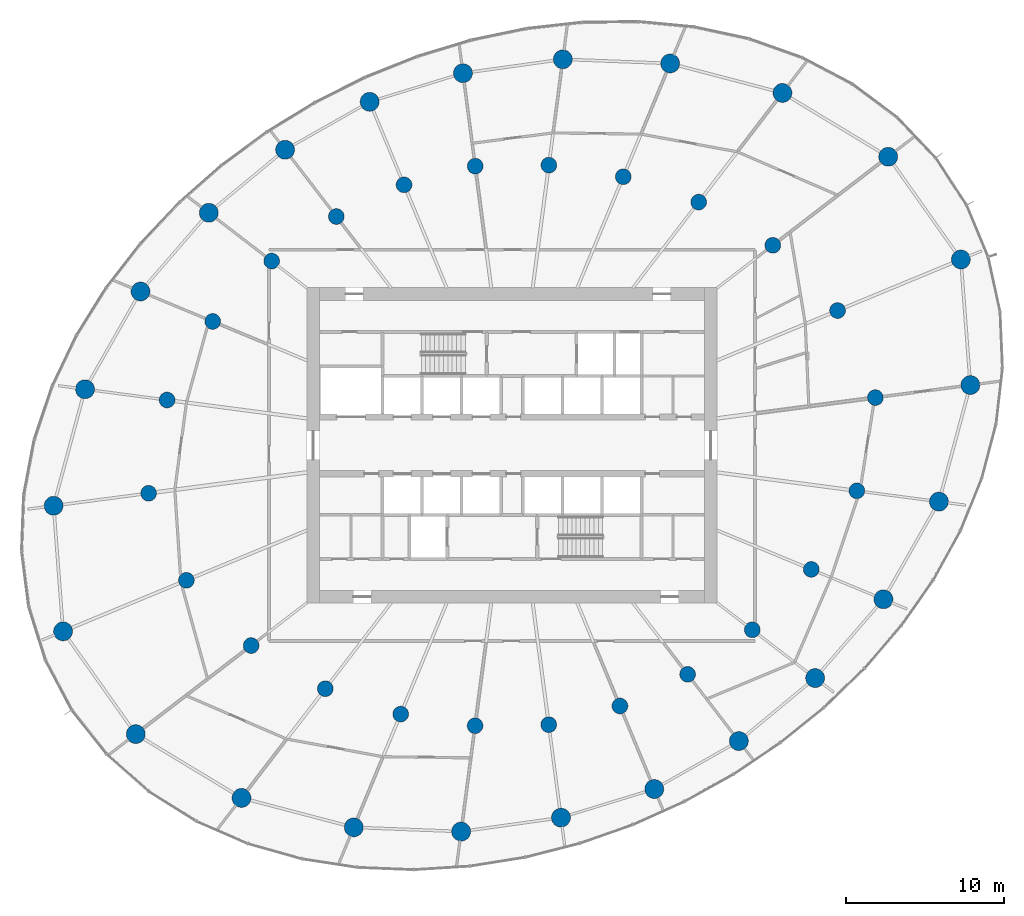
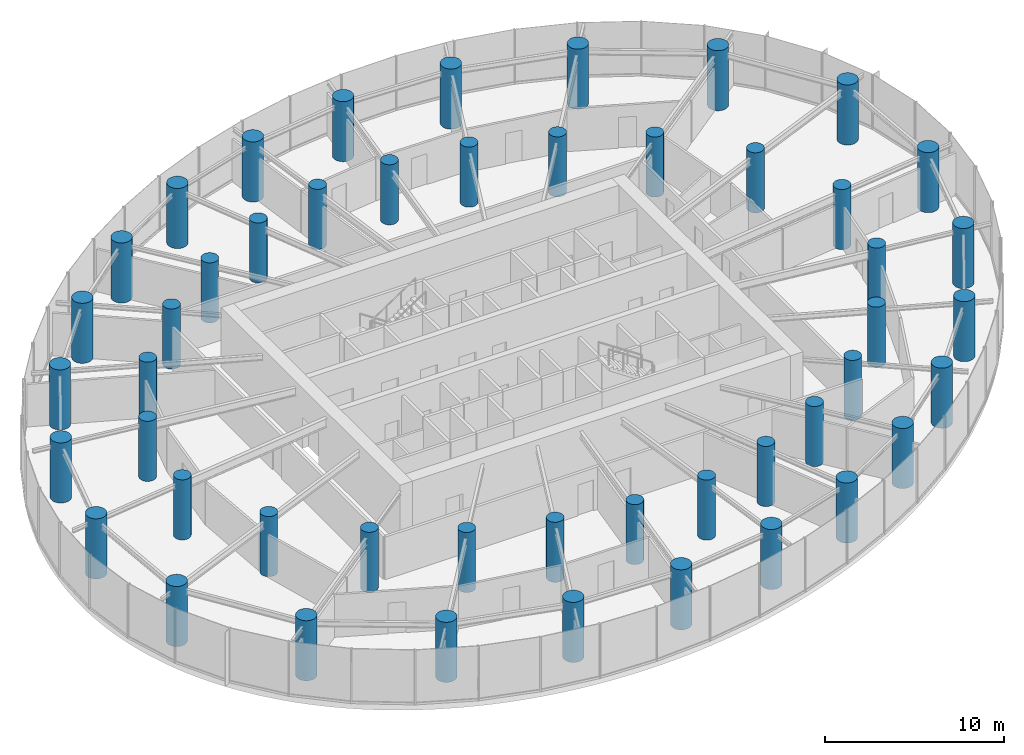
# One storey, part 1 of 17: 48 columns.
"""IFC4 building model written with IfcOpenShell, lengths in metres."""

from ifc_helpers import new_model, si_unit, direction, frame, origin, origin_2d, place, context, subcontext, project, spatial, circle, extrude, source, transform, mapped, material, material_profile, profile_set, type_object, element, save


model = new_model("IFC4")

# Units and contexts
model_context = context("Model", 3, precision=1e-05, world=origin(), true_north=direction((0.0, 1.0)))
body_context = subcontext(model_context, "Body", "Model", "MODEL_VIEW")
ifc_project = project(units=[si_unit("LENGTHUNIT", "METRE"), si_unit("AREAUNIT", "SQUARE_METRE"), si_unit("VOLUMEUNIT", "CUBIC_METRE"), si_unit("PLANEANGLEUNIT", "RADIAN"), si_unit("MASSUNIT", "GRAM", prefix="KILO")], contexts=[model_context])

# Site, building, storey
site_placement = place(None, origin())
site = spatial("IfcSite", under=ifc_project, at=site_placement, CompositionType="ELEMENT")
building_placement = place(site_placement, origin())
building = spatial("IfcBuilding", under=site, at=building_placement, Name="Spindrift Exchange Tower", CompositionType="ELEMENT")
storey_placement = place(building_placement, frame((0.0, 0.0, 112.60009765625)))
storey = spatial("IfcBuildingStorey", under=building, at=storey_placement, Name="L26", CompositionType="ELEMENT", Elevation=112.60009765625)

# Columns
ifc_material = material(Name="Concrete 65 MPa", Category="concrete")
ifc_material_profile_1 = material_profile(ifc_material, circle(Radius=0.5, at=origin_2d()), Name="RC D1000")
ifc_profile_set_1 = profile_set([ifc_material_profile_1], Name="Concrete 65 MPa")
column_type_1 = type_object("IfcColumnType", Name="RC Inner Column D1000 Concrete 65 MPa", PredefinedType="COLUMN", material=ifc_profile_set_1)
shared_shape_1 = source(origin(), body_context, "Body", "SweptSolid", [
    extrude(circle(Radius=0.5, at=origin_2d()), origin(), (0.0, 0.0, 1.0), 4.099853515625),
])
for number, where, z_axis, x_axis, name in (
    (1, (75.033935546875, 51.032470703125, 0.0), (0.0, 0.0, 1.0), (1.0, 0.0, 0.0), "Inner column Q2-01 L26"),
    (2, (72.639404296875, 56.549072265625, 0.0), (0.0, 0.0, 1.0), (1.0, 0.0, 0.0), "Inner column Q2-02 L26"),
    (3, (68.534912109375, 60.6875, 0.0), (0.0, 0.0, 1.0), (1.0, 0.0, 0.0), "Inner column Q2-03 L26"),
    (4, (63.835205078125, 63.423828125, 0.0), (0.0, 0.0, 1.0), (1.0, 0.0, 0.0), "Inner column Q2-04 L26"),
    (5, (59.0546875, 65.03125, 0.0), (0.0, 0.0, 1.0), (1.0, 0.0, 0.0), "Inner column Q2-05 L26"),
    (6, (54.339111328125, 65.767333984375, 0.0), (0.0, 0.0, 1.0), (1.0, 0.0, 0.0), "Inner column Q2-06 L26"),
    (7, (49.669189453125, 65.703125, 0.0), (0.0, 0.0, 1.0), (1.0, 0.0, 0.0), "Inner column Q2-07 L26"),
    (8, (45.158203125, 64.517578125, 0.0), (0.0, 0.0, 1.0), (1.0, 0.0, 0.0), "Inner column Q2-08 L26"),
    (9, (40.8662109375, 62.510009765625, 0.0), (0.0, 0.0, 1.0), (1.0, 0.0, 0.0), "Inner column Q2-09 L26"),
    (10, (36.767578125, 59.688232421875, 0.0), (0.0, 0.0, 1.0), (1.0, 0.0, 0.0), "Inner column Q2-10 L26"),
    (11, (33.027587890625, 55.858642578125, 0.0), (0.0, 0.0, 1.0), (1.0, 0.0, 0.0), "Inner column Q2-11 L26"),
    (12, (30.13671875, 50.87841796875, 0.0), (0.0, 0.0, 1.0), (1.0, 0.0, 0.0), "Inner column Q2-12 L26"),
    (13, (28.966064453125, 44.967529296875, 0.0), (0.0, 0.0, 1.0), (1.0, 0.0, 0.0), "Inner column Q2-13 L26"),
    (14, (31.360595703125, 39.450927734375, 0.0), (0.0, 0.0, 1.0), (1.0, 0.0, 0.0), "Inner column Q2-14 L26"),
    (15, (35.465087890625, 35.3125, 0.0), (0.0, 0.0, 1.0), (1.0, 0.0, 0.0), "Inner column Q2-15 L26"),
    (16, (40.164794921875, 32.576171875, 0.0), (0.0, 0.0, 1.0), (1.0, 0.0, 0.0), "Inner column Q2-16 L26"),
    (17, (44.9453125, 30.96875, 0.0), (0.0, 0.0, 1.0), (1.0, 0.0, 0.0), "Inner column Q2-17 L26"),
    (18, (49.660888671875, 30.232666015625, 0.0), (0.0, 0.0, 1.0), (1.0, 0.0, 0.0), "Inner column Q2-18 L26"),
    (19, (54.330810546875, 30.296875, 0.0), (0.0, 0.0, 1.0), (1.0, 0.0, 0.0), "Inner column Q2-19 L26"),
    (20, (58.841796875, 31.482421875, 0.0), (0.0, 0.0, 1.0), (1.0, 0.0, 0.0), "Inner column Q2-20 L26"),
    (21, (63.1337890625, 33.489990234375, 0.0), (0.0, 0.0, 1.0), (1.0, 0.0, 0.0), "Inner column Q2-21 L26"),
    (22, (67.232421875, 36.311767578125, 0.0), (0.0, 0.0, 1.0), (1.0, 0.0, 0.0), "Inner column Q2-22 L26"),
    (23, (70.972412109375, 40.141357421875, 0.0), (0.0, 0.0, 1.0), (1.0, 0.0, 0.0), "Inner column Q2-23 L26"),
    (24, (73.86328125, 45.12158203125, 0.0), (0.0, 0.0, 1.0), (1.0, 0.0, 0.0), "Inner column Q2-24 L26"),
):
    element("IfcColumn", number, at=place(storey_placement, frame(where, z_axis=z_axis, x_axis=x_axis)), inside=storey, type_object=column_type_1, Name=name, PredefinedType="COLUMN", context=body_context, shape_type="MappedRepresentation", body=[
        mapped(shared_shape_1, transform((0.0, 0.0, 0.0), scale=1.0)),
    ])
ifc_material_profile_2 = material_profile(ifc_material, circle(Radius=0.60009765625, at=origin_2d()), Name="RC D1200")
ifc_profile_set_2 = profile_set([ifc_material_profile_2], Name="Concrete 65 MPa")
column_type_2 = type_object("IfcColumnType", Name="RC Perimeter Column D1200 Concrete 65 MPa", PredefinedType="COLUMN", material=ifc_profile_set_2)
shared_shape_2 = source(origin(), body_context, "Body", "SweptSolid", [
    extrude(circle(Radius=0.60009765625, at=origin_2d()), origin(), (0.0, 0.0, 1.0), 4.099853515625),
])
for number, where, z_axis, x_axis, name in (
    (25, (81.056396484375, 51.8251953125, 0.0), (0.0, 0.0, 1.0), (1.0, 0.0, 0.0), "Perimeter column P2-01 L26"),
    (26, (80.45556640625, 59.78662109375, 0.0), (0.0, 0.0, 1.0), (1.0, 0.0, 0.0), "Perimeter column P2-02 L26"),
    (27, (75.84814453125, 66.29931640625, 0.0), (0.0, 0.0, 1.0), (1.0, 0.0, 0.0), "Perimeter column P2-03 L26"),
    (28, (69.145751953125, 70.3447265625, 0.0), (0.0, 0.0, 1.0), (1.0, 0.0, 0.0), "Perimeter column P2-04 L26"),
    (29, (62.029052734375, 72.212158203125, 0.0), (0.0, 0.0, 1.0), (1.0, 0.0, 0.0), "Perimeter column P2-05 L26"),
    (30, (55.222412109375, 72.476806640625, 0.0), (0.0, 0.0, 1.0), (1.0, 0.0, 0.0), "Perimeter column P2-06 L26"),
    (31, (48.8935546875, 71.595458984375, 0.0), (0.0, 0.0, 1.0), (1.0, 0.0, 0.0), "Perimeter column P2-07 L26"),
    (32, (42.978271484375, 69.780517578125, 0.0), (0.0, 0.0, 1.0), (1.0, 0.0, 0.0), "Perimeter column P2-08 L26"),
    (33, (37.617919921875, 66.742919921875, 0.0), (0.0, 0.0, 1.0), (1.0, 0.0, 0.0), "Perimeter column P2-09 L26"),
    (34, (32.7802734375, 62.747802734375, 0.0), (0.0, 0.0, 1.0), (1.0, 0.0, 0.0), "Perimeter column P2-10 L26"),
    (35, (28.4521484375, 57.75390625, 0.0), (0.0, 0.0, 1.0), (1.0, 0.0, 0.0), "Perimeter column P2-11 L26"),
    (36, (24.935546875, 51.56298828125, 0.0), (0.0, 0.0, 1.0), (1.0, 0.0, 0.0), "Perimeter column P2-12 L26"),
    (37, (22.943603515625, 44.1748046875, 0.0), (0.0, 0.0, 1.0), (1.0, 0.0, 0.0), "Perimeter column P2-13 L26"),
    (38, (23.54443359375, 36.21337890625, 0.0), (0.0, 0.0, 1.0), (1.0, 0.0, 0.0), "Perimeter column P2-14 L26"),
    (39, (28.15185546875, 29.70068359375, 0.0), (0.0, 0.0, 1.0), (1.0, 0.0, 0.0), "Perimeter column P2-15 L26"),
    (40, (34.854248046875, 25.6552734375, 0.0), (0.0, 0.0, 1.0), (1.0, 0.0, 0.0), "Perimeter column P2-16 L26"),
    (41, (41.970947265625, 23.787841796875, 0.0), (0.0, 0.0, 1.0), (1.0, 0.0, 0.0), "Perimeter column P2-17 L26"),
    (42, (48.777587890625, 23.523193359375, 0.0), (0.0, 0.0, 1.0), (1.0, 0.0, 0.0), "Perimeter column P2-18 L26"),
    (43, (55.1064453125, 24.404541015625, 0.0), (0.0, 0.0, 1.0), (1.0, 0.0, 0.0), "Perimeter column P2-19 L26"),
    (44, (61.021728515625, 26.219482421875, 0.0), (0.0, 0.0, 1.0), (1.0, 0.0, 0.0), "Perimeter column P2-20 L26"),
    (45, (66.382080078125, 29.257080078125, 0.0), (0.0, 0.0, 1.0), (1.0, 0.0, 0.0), "Perimeter column P2-21 L26"),
    (46, (71.2197265625, 33.252197265625, 0.0), (0.0, 0.0, 1.0), (1.0, 0.0, 0.0), "Perimeter column P2-22 L26"),
    (47, (75.5478515625, 38.24609375, 0.0), (0.0, 0.0, 1.0), (1.0, 0.0, 0.0), "Perimeter column P2-23 L26"),
    (48, (79.064453125, 44.43701171875, 0.0), (0.0, 0.0, 1.0), (1.0, 0.0, 0.0), "Perimeter column P2-24 L26"),
):
    element("IfcColumn", number, at=place(storey_placement, frame(where, z_axis=z_axis, x_axis=x_axis)), inside=storey, type_object=column_type_2, Name=name, PredefinedType="COLUMN", context=body_context, shape_type="MappedRepresentation", body=[
        mapped(shared_shape_2, transform((0.0, 0.0, 0.0), scale=1.0)),
    ])

save(model, "model.ifc")
